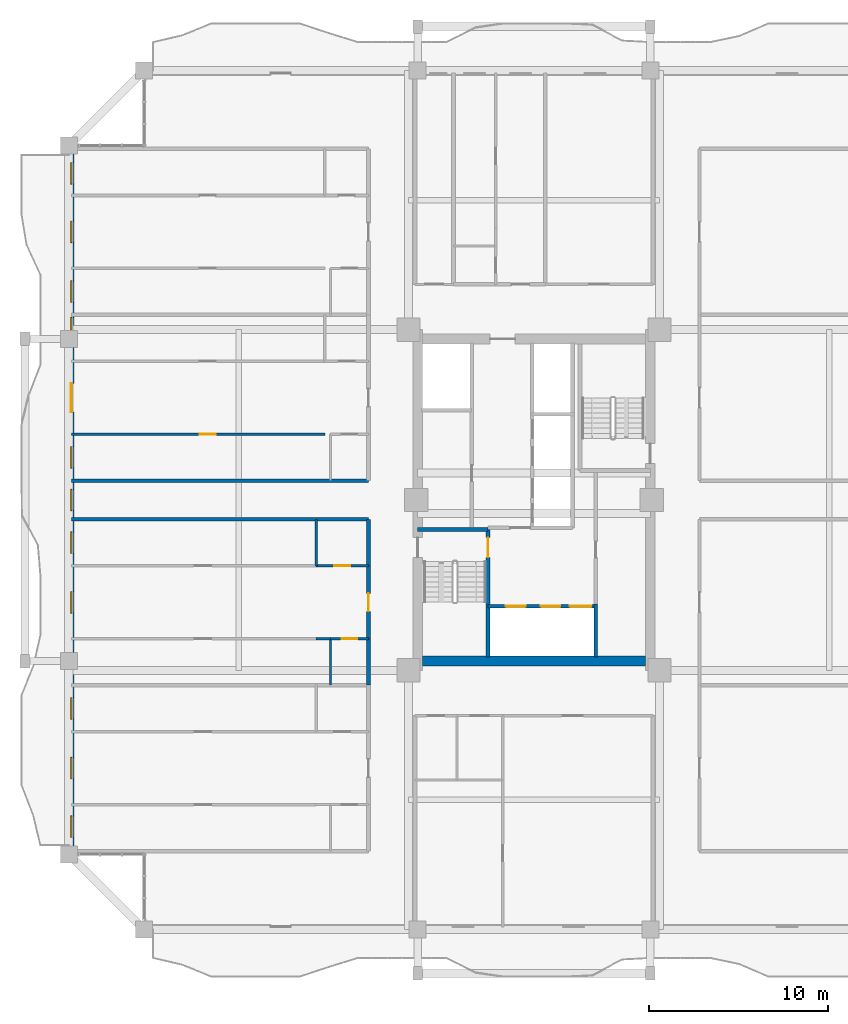
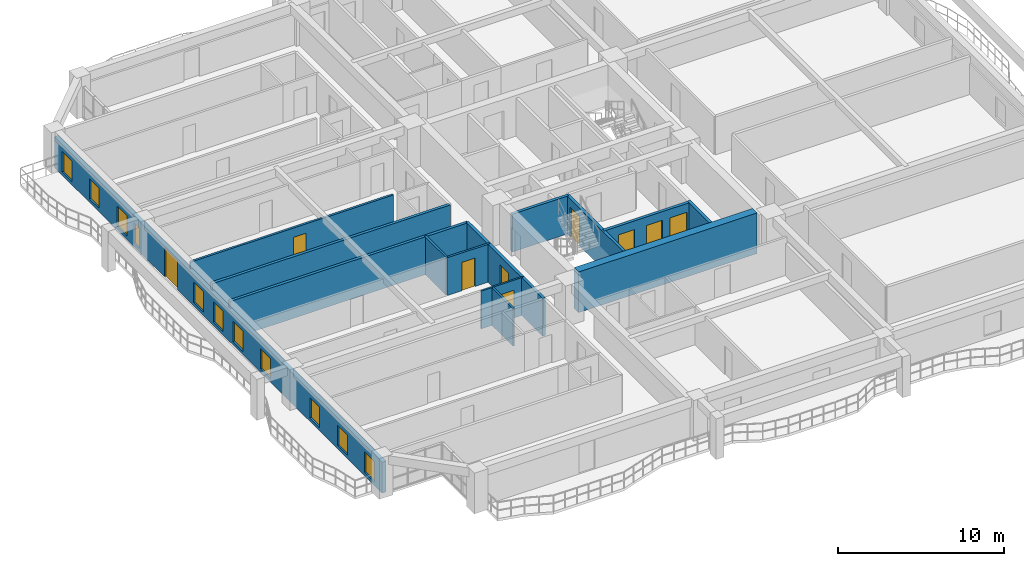
# One storey, part 14 of 22: 17 walls, 11 windows, 9 doors, 20 openings.
"""IFC4 building model written with IfcOpenShell, lengths in metres."""

from ifc_helpers import new_model, si_unit, direction, frame, frame_2d, origin, place, context, subcontext, project, spatial, rectangle, extrude, source, transform, mapped, material, layer, layer_set, type_object, element, fill, save


model = new_model("IFC4")

# Units and contexts
model_context = context("Model", 3, precision=1e-05, world=origin(), true_north=direction((0.0, 1.0)))
body_context = subcontext(model_context, "Body", "Model", "MODEL_VIEW")
ifc_project = project(units=[si_unit("LENGTHUNIT", "METRE"), si_unit("AREAUNIT", "SQUARE_METRE"), si_unit("VOLUMEUNIT", "CUBIC_METRE"), si_unit("PLANEANGLEUNIT", "RADIAN"), si_unit("MASSUNIT", "GRAM", prefix="KILO")], contexts=[model_context])

# Site, building, storey
site_placement = place(None, origin())
site = spatial("IfcSite", under=ifc_project, at=site_placement, CompositionType="ELEMENT")
building_placement = place(site_placement, origin())
building = spatial("IfcBuilding", under=site, at=building_placement, Name="Saelheon Loggia Tower", CompositionType="ELEMENT")
storey_placement = place(building_placement, frame((0.0, 0.0, 135.75)))
storey = spatial("IfcBuildingStorey", under=building, at=storey_placement, Name="L43", CompositionType="ELEMENT", Elevation=135.75)

# Wall
ifc_material_1 = material(Name="Concrete C50/60", Category="concrete")
ifc_layer_1 = layer(ifc_material_1, 0.550048828125)
ifc_layer_set_1 = layer_set([ifc_layer_1], Name="Concrete C50/60")
wall_type_1 = type_object("IfcWallType", Name="Wall_CoreShear_550", PredefinedType="SHEAR", material=ifc_layer_set_1)
wall_1_placement = place(storey_placement, frame((31.77490234375, 18.0, 0.0), z_axis=(0.0, 0.0, 1.0), x_axis=(1.0, 0.0, 0.0)))
element("IfcWall", 1, at=wall_1_placement, inside=storey, type_object=wall_type_1, Name="L43 Core Shear Wall South", PredefinedType="SHEAR", context=body_context, shape_type="SweptSolid", body=[
    extrude(rectangle(XDim=12.4501953125, YDim=0.550048828125, at=frame_2d((6.22509765625, 0.0))), origin(), (0.0, 0.0, 1.0), 3.0),
])

# Wall, openings, windows, door
ifc_material_2 = material(Name="Architectural Precast Concrete C40/50", Category="concrete")
ifc_layer_2 = layer(ifc_material_2, 0.280029296875)
ifc_layer_set_2 = layer_set([ifc_layer_2], Name="Architectural Precast Concrete C40/50")
wall_type_2 = type_object("IfcWallType", Name="Wall_Ext_Loggia_280", PredefinedType="SOLIDWALL", material=ifc_layer_set_2)
wall_2_placement = place(storey_placement, frame((12.139892578125, 7.199951171875, 0.0), z_axis=(0.0, 0.0, 1.0), x_axis=(0.0, 1.0, 0.0)))
wall_2 = element("IfcWall", 2, at=wall_2_placement, inside=storey, type_object=wall_type_2, Name="L43 West Loggia Inner Wall", PredefinedType="SOLIDWALL", context=body_context, shape_type="SweptSolid", body=[
    extrude(rectangle(XDim=39.60009765625, YDim=0.280029296875, at=frame_2d((19.800048828125, 0.0))), origin(), (0.0, 0.0, 1.0), 2.280029296875),
])
opening_1_placement = place(wall_2_placement, frame((0.9453125, 0.0, 0.25)))
opening_1 = element("IfcOpeningElement", 3, at=opening_1_placement, cuts=wall_2, Name="Opening WN-03", PredefinedType="OPENING", context=body_context, shape_type="SweptSolid", body=[
    extrude(rectangle(XDim=1.199951171875, YDim=1.5, at=frame_2d((0.60009765625, 0.75))), frame((0.0, 0.152099609375, 0.0), z_axis=(0.0, -1.0, 0.0), x_axis=(1.0, 0.0, 0.0)), (0.0, 0.0, 1.0), 0.303955078125),
])
opening_2_placement = place(wall_2_placement, frame((4.212890625, 0.0, 0.25)))
opening_2 = element("IfcOpeningElement", 4, at=opening_2_placement, cuts=wall_2, Name="Opening WN-03", PredefinedType="OPENING", context=body_context, shape_type="SweptSolid", body=[
    extrude(rectangle(XDim=1.199951171875, YDim=1.5, at=frame_2d((0.60009765625, 0.75))), frame((0.0, 0.152099609375, 0.0), z_axis=(0.0, -1.0, 0.0), x_axis=(1.0, 0.0, 0.0)), (0.0, 0.0, 1.0), 0.303955078125),
])
opening_3_placement = place(wall_2_placement, frame((7.550048828125, 0.0, 0.25)))
opening_3 = element("IfcOpeningElement", 5, at=opening_3_placement, cuts=wall_2, Name="Opening WN-03", PredefinedType="OPENING", context=body_context, shape_type="SweptSolid", body=[
    extrude(rectangle(XDim=1.199951171875, YDim=1.5, at=frame_2d((0.60009765625, 0.75))), frame((0.0, 0.152099609375, 0.0), z_axis=(0.0, -1.0, 0.0), x_axis=(1.0, 0.0, 0.0)), (0.0, 0.0, 1.0), 0.303955078125),
])
opening_4_placement = place(wall_2_placement, frame((13.48291015625, 0.0, 0.25)))
opening_4 = element("IfcOpeningElement", 6, at=opening_4_placement, cuts=wall_2, Name="Opening WN-03", PredefinedType="OPENING", context=body_context, shape_type="SweptSolid", body=[
    extrude(rectangle(XDim=1.199951171875, YDim=1.5, at=frame_2d((0.60009765625, 0.75))), frame((0.0, 0.152099609375, 0.0), z_axis=(0.0, -1.0, 0.0), x_axis=(1.0, 0.0, 0.0)), (0.0, 0.0, 1.0), 0.303955078125),
])
opening_5_placement = place(wall_2_placement, frame((16.820068359375, 0.0, 0.25)))
opening_5 = element("IfcOpeningElement", 7, at=opening_5_placement, cuts=wall_2, Name="Opening WN-03", PredefinedType="OPENING", context=body_context, shape_type="SweptSolid", body=[
    extrude(rectangle(XDim=1.199951171875, YDim=1.5, at=frame_2d((0.60009765625, 0.75))), frame((0.0, 0.152099609375, 0.0), z_axis=(0.0, -1.0, 0.0), x_axis=(1.0, 0.0, 0.0)), (0.0, 0.0, 1.0), 0.303955078125),
])
opening_6_placement = place(wall_2_placement, frame((19.199951171875, 0.0, 0.25)))
opening_6 = element("IfcOpeningElement", 8, at=opening_6_placement, cuts=wall_2, Name="Opening WN-03", PredefinedType="OPENING", context=body_context, shape_type="SweptSolid", body=[
    extrude(rectangle(XDim=1.199951171875, YDim=1.5, at=frame_2d((0.60009765625, 0.75))), frame((0.0, 0.152099609375, 0.0), z_axis=(0.0, -1.0, 0.0), x_axis=(1.0, 0.0, 0.0)), (0.0, 0.0, 1.0), 0.303955078125),
])
opening_7_placement = place(wall_2_placement, frame((21.577880859375, 0.0, 0.25)))
opening_7 = element("IfcOpeningElement", 9, at=opening_7_placement, cuts=wall_2, Name="Opening WN-03", PredefinedType="OPENING", context=body_context, shape_type="SweptSolid", body=[
    extrude(rectangle(XDim=1.199951171875, YDim=1.5, at=frame_2d((0.60009765625, 0.75))), frame((0.0, 0.152099609375, 0.0), z_axis=(0.0, -1.0, 0.0), x_axis=(1.0, 0.0, 0.0)), (0.0, 0.0, 1.0), 0.303955078125),
])
opening_8_placement = place(wall_2_placement, frame((24.712890625, 0.0, 0.0)))
opening_8 = element("IfcOpeningElement", 10, at=opening_8_placement, cuts=wall_2, Name="Opening DLG-1", PredefinedType="OPENING", context=body_context, shape_type="SweptSolid", body=[
    extrude(rectangle(XDim=1.60009765625, YDim=2.14990234375, at=frame_2d((0.800048828125, 1.074951171875))), frame((0.0, 0.152099609375, 0.0), z_axis=(0.0, -1.0, 0.0), x_axis=(1.0, 0.0, 0.0)), (0.0, 0.0, 1.0), 0.303955078125),
])
opening_9_placement = place(wall_2_placement, frame((29.304931640625, 0.0, 0.25)))
opening_9 = element("IfcOpeningElement", 11, at=opening_9_placement, cuts=wall_2, Name="Opening WN-06", PredefinedType="OPENING", context=body_context, shape_type="SweptSolid", body=[
    extrude(rectangle(XDim=0.699951171875, YDim=1.5, at=frame_2d((0.35009765625, 0.75))), frame((0.0, 0.152099609375, 0.0), z_axis=(0.0, -1.0, 0.0), x_axis=(1.0, 0.0, 0.0)), (0.0, 0.0, 1.0), 0.303955078125),
])
opening_10_placement = place(wall_2_placement, frame((30.847900390625, 0.0, 0.25)))
opening_10 = element("IfcOpeningElement", 12, at=opening_10_placement, cuts=wall_2, Name="Opening WN-03", PredefinedType="OPENING", context=body_context, shape_type="SweptSolid", body=[
    extrude(rectangle(XDim=1.199951171875, YDim=1.5, at=frame_2d((0.60009765625, 0.75))), frame((0.0, 0.152099609375, 0.0), z_axis=(0.0, -1.0, 0.0), x_axis=(1.0, 0.0, 0.0)), (0.0, 0.0, 1.0), 0.303955078125),
])
opening_11_placement = place(wall_2_placement, frame((34.182861328125, 0.0, 0.25)))
opening_11 = element("IfcOpeningElement", 13, at=opening_11_placement, cuts=wall_2, Name="Opening WN-03", PredefinedType="OPENING", context=body_context, shape_type="SweptSolid", body=[
    extrude(rectangle(XDim=1.199951171875, YDim=1.5, at=frame_2d((0.60009765625, 0.75))), frame((0.0, 0.152099609375, 0.0), z_axis=(0.0, -1.0, 0.0), x_axis=(1.0, 0.0, 0.0)), (0.0, 0.0, 1.0), 0.303955078125),
])
opening_12_placement = place(wall_2_placement, frame((37.452392578125, 0.0, 0.25)))
opening_12 = element("IfcOpeningElement", 14, at=opening_12_placement, cuts=wall_2, Name="Opening WN-03", PredefinedType="OPENING", context=body_context, shape_type="SweptSolid", body=[
    extrude(rectangle(XDim=1.199951171875, YDim=1.5, at=frame_2d((0.60009765625, 0.75))), frame((0.0, 0.152099609375, 0.0), z_axis=(0.0, -1.0, 0.0), x_axis=(1.0, 0.0, 0.0)), (0.0, 0.0, 1.0), 0.303955078125),
])
ifc_material_3 = material(Name="Thermal-Break Aluminium and Triple Low-E Glass", Category="aluminium")
window_type_1 = type_object("IfcWindowType", Name="Win_Slot_700x1500", PartitioningType="SINGLE_PANEL", PredefinedType="WINDOW", material=ifc_material_3)
shared_shape_1 = source(origin(), body_context, "Body", "SweptSolid", [
    extrude(rectangle(XDim=0.699951171875, YDim=1.5, at=frame_2d((0.35009765625, 0.75))), frame((0.0, 0.030029296875, 0.0), z_axis=(0.0, -1.0, 0.0), x_axis=(1.0, 0.0, 0.0)), (0.0, 0.0, 1.0), 0.06005859375),
])
window_1_placement = place(opening_9_placement, origin())
window_1 = element("IfcWindow", 15, at=window_1_placement, inside=storey, type_object=window_type_1, Name="L43 W Dwelling Window 9", OverallHeight=1.5, OverallWidth=0.699951171875, PartitioningType="SINGLE_PANEL", PredefinedType="WINDOW", context=body_context, shape_type="MappedRepresentation", body=[
    mapped(shared_shape_1, transform((0.0, 0.0, 0.0), scale=1.0)),
])
fill(opening_9, window_1)
window_type_2 = type_object("IfcWindowType", Name="Win_Bedroom_1200x1500", PartitioningType="SINGLE_PANEL", PredefinedType="WINDOW", material=ifc_material_3)
shared_shape_2 = source(origin(), body_context, "Body", "SweptSolid", [
    extrude(rectangle(XDim=1.199951171875, YDim=1.5, at=frame_2d((0.60009765625, 0.75))), frame((0.0, 0.030029296875, 0.0), z_axis=(0.0, -1.0, 0.0), x_axis=(1.0, 0.0, 0.0)), (0.0, 0.0, 1.0), 0.06005859375),
])
window_2_placement = place(opening_1_placement, origin())
window_2 = element("IfcWindow", 16, at=window_2_placement, inside=storey, type_object=window_type_2, Name="L43 W Dwelling Window 1", OverallHeight=1.5, OverallWidth=1.199951171875, PartitioningType="SINGLE_PANEL", PredefinedType="WINDOW", context=body_context, shape_type="MappedRepresentation", body=[
    mapped(shared_shape_2, transform((0.0, 0.0, 0.0), scale=1.0)),
])
fill(opening_1, window_2)
window_3_placement = place(opening_2_placement, origin())
window_3 = element("IfcWindow", 17, at=window_3_placement, inside=storey, type_object=window_type_2, Name="L43 W Dwelling Window 2", OverallHeight=1.5, OverallWidth=1.199951171875, PartitioningType="SINGLE_PANEL", PredefinedType="WINDOW", context=body_context, shape_type="MappedRepresentation", body=[
    mapped(shared_shape_2, transform((0.0, 0.0, 0.0), scale=1.0)),
])
fill(opening_2, window_3)
window_4_placement = place(opening_3_placement, origin())
window_4 = element("IfcWindow", 18, at=window_4_placement, inside=storey, type_object=window_type_2, Name="L43 W Dwelling Window 3", OverallHeight=1.5, OverallWidth=1.199951171875, PartitioningType="SINGLE_PANEL", PredefinedType="WINDOW", context=body_context, shape_type="MappedRepresentation", body=[
    mapped(shared_shape_2, transform((0.0, 0.0, 0.0), scale=1.0)),
])
fill(opening_3, window_4)
window_5_placement = place(opening_4_placement, origin())
window_5 = element("IfcWindow", 19, at=window_5_placement, inside=storey, type_object=window_type_2, Name="L43 W Dwelling Window 4", OverallHeight=1.5, OverallWidth=1.199951171875, PartitioningType="SINGLE_PANEL", PredefinedType="WINDOW", context=body_context, shape_type="MappedRepresentation", body=[
    mapped(shared_shape_2, transform((0.0, 0.0, 0.0), scale=1.0)),
])
fill(opening_4, window_5)
window_6_placement = place(opening_5_placement, origin())
window_6 = element("IfcWindow", 20, at=window_6_placement, inside=storey, type_object=window_type_2, Name="L43 W Dwelling Window 5", OverallHeight=1.5, OverallWidth=1.199951171875, PartitioningType="SINGLE_PANEL", PredefinedType="WINDOW", context=body_context, shape_type="MappedRepresentation", body=[
    mapped(shared_shape_2, transform((0.0, 0.0, 0.0), scale=1.0)),
])
fill(opening_5, window_6)
window_7_placement = place(opening_6_placement, origin())
window_7 = element("IfcWindow", 21, at=window_7_placement, inside=storey, type_object=window_type_2, Name="L43 W Dwelling Window 6", OverallHeight=1.5, OverallWidth=1.199951171875, PartitioningType="SINGLE_PANEL", PredefinedType="WINDOW", context=body_context, shape_type="MappedRepresentation", body=[
    mapped(shared_shape_2, transform((0.0, 0.0, 0.0), scale=1.0)),
])
fill(opening_6, window_7)
window_8_placement = place(opening_7_placement, origin())
window_8 = element("IfcWindow", 22, at=window_8_placement, inside=storey, type_object=window_type_2, Name="L43 W Dwelling Window 7", OverallHeight=1.5, OverallWidth=1.199951171875, PartitioningType="SINGLE_PANEL", PredefinedType="WINDOW", context=body_context, shape_type="MappedRepresentation", body=[
    mapped(shared_shape_2, transform((0.0, 0.0, 0.0), scale=1.0)),
])
fill(opening_7, window_8)
window_9_placement = place(opening_10_placement, origin())
window_9 = element("IfcWindow", 23, at=window_9_placement, inside=storey, type_object=window_type_2, Name="L43 W Dwelling Window 10", OverallHeight=1.5, OverallWidth=1.199951171875, PartitioningType="SINGLE_PANEL", PredefinedType="WINDOW", context=body_context, shape_type="MappedRepresentation", body=[
    mapped(shared_shape_2, transform((0.0, 0.0, 0.0), scale=1.0)),
])
fill(opening_10, window_9)
window_10_placement = place(opening_11_placement, origin())
window_10 = element("IfcWindow", 24, at=window_10_placement, inside=storey, type_object=window_type_2, Name="L43 W Dwelling Window 11", OverallHeight=1.5, OverallWidth=1.199951171875, PartitioningType="SINGLE_PANEL", PredefinedType="WINDOW", context=body_context, shape_type="MappedRepresentation", body=[
    mapped(shared_shape_2, transform((0.0, 0.0, 0.0), scale=1.0)),
])
fill(opening_11, window_10)
window_11_placement = place(opening_12_placement, origin())
window_11 = element("IfcWindow", 25, at=window_11_placement, inside=storey, type_object=window_type_2, Name="L43 W Dwelling Window 12", OverallHeight=1.5, OverallWidth=1.199951171875, PartitioningType="SINGLE_PANEL", PredefinedType="WINDOW", context=body_context, shape_type="MappedRepresentation", body=[
    mapped(shared_shape_2, transform((0.0, 0.0, 0.0), scale=1.0)),
])
fill(opening_12, window_11)
ifc_material_4 = material(Name="Thermal-Break Aluminium Sliding Glazed Door", Category="aluminium")
door_type_1 = type_object("IfcDoorType", Name="Door_LoggiaSlide_1600", OperationType="SLIDING_TO_LEFT", PredefinedType="DOOR", material=ifc_material_4)
shared_shape_3 = source(origin(), body_context, "Body", "SweptSolid", [
    extrude(rectangle(XDim=1.60009765625, YDim=2.14990234375, at=frame_2d((0.800048828125, 1.074951171875))), frame((0.0, 0.02490234375, 0.0), z_axis=(0.0, -1.0, 0.0), x_axis=(1.0, 0.0, 0.0)), (0.0, 0.0, 1.0), 0.050048828125),
])
door_1_placement = place(opening_8_placement, origin())
door_1 = element("IfcDoor", 26, at=door_1_placement, inside=storey, type_object=door_type_1, Name="L43 W Loggia Access Door", OperationType="SLIDING_TO_LEFT", OverallHeight=2.14990234375, OverallWidth=1.60009765625, PredefinedType="DOOR", context=body_context, shape_type="MappedRepresentation", body=[
    mapped(shared_shape_3, transform((0.0, 0.0, 0.0), scale=1.0)),
])
fill(opening_8, door_1)

# Wall
ifc_material_5 = material(Name="Lightweight Autoclaved Aerated Concrete Block and Acoustic Gypsum", Category="concrete")
ifc_layer_3 = layer(ifc_material_5, 0.14990234375)
ifc_layer_set_3 = layer_set([ifc_layer_3], Name="Lightweight Autoclaved Aerated Concrete Block and Acoustic Gypsum")
wall_type_3 = type_object("IfcWallType", Name="Wall_Part_150", PredefinedType="PARTITIONING", material=ifc_layer_set_3)
wall_3_placement = place(storey_placement, frame((25.830078125, 23.320068359375, 0.0), z_axis=(0.0, 0.0, 1.0), x_axis=(0.0, 1.0, 0.0)))
element("IfcWall", 27, at=wall_3_placement, inside=storey, type_object=wall_type_3, Name="L43 WS Partition V18", PredefinedType="PARTITIONING", context=body_context, shape_type="SweptSolid", body=[
    extrude(rectangle(XDim=2.599853515625, YDim=0.14990234375, at=frame_2d((1.2998046875, 0.0))), origin(), (0.0, 0.0, 1.0), 2.7900390625),
])

# Wall, opening, door
wall_4_placement = place(storey_placement, frame((28.75, 23.320068359375, 0.0), z_axis=(0.0, 0.0, 1.0), x_axis=(-1.0, 0.0, 0.0)))
wall_4 = element("IfcWall", 28, at=wall_4_placement, inside=storey, type_object=wall_type_3, Name="L43 WS Partition U22", PredefinedType="PARTITIONING", context=body_context, shape_type="SweptSolid", body=[
    extrude(rectangle(XDim=2.919921875, YDim=0.14990234375, at=frame_2d((1.4599609375, 0.0))), origin(), (0.0, 0.0, 1.0), 2.7900390625),
])
opening_13_placement = place(wall_4_placement, frame((1.010009765625, 0.0, 0.0)))
opening_13 = element("IfcOpeningElement", 29, at=opening_13_placement, cuts=wall_4, Name="Opening D-IN2", PredefinedType="OPENING", context=body_context, shape_type="SweptSolid", body=[
    extrude(rectangle(XDim=0.89990234375, YDim=2.10009765625, at=frame_2d((0.449951171875, 1.050048828125))), frame((0.0, 0.0869140625, 0.0), z_axis=(0.0, -1.0, 0.0), x_axis=(1.0, 0.0, 0.0)), (0.0, 0.0, 1.0), 0.173828125),
])
ifc_material_6 = material(Name="Engineered Oak Flush Door", Category="timber")
door_type_2 = type_object("IfcDoorType", Name="Door_Int_900", OperationType="NOTDEFINED", PredefinedType="DOOR", material=ifc_material_6)
shared_shape_4 = source(origin(), body_context, "Body", "SweptSolid", [
    extrude(rectangle(XDim=0.89990234375, YDim=2.10009765625, at=frame_2d((0.449951171875, 1.050048828125))), frame((0.0, 0.02490234375, 0.0), z_axis=(0.0, -1.0, 0.0), x_axis=(1.0, 0.0, 0.0)), (0.0, 0.0, 1.0), 0.050048828125),
])
door_2_placement = place(opening_13_placement, origin())
door_2 = element("IfcDoor", 30, at=door_2_placement, inside=storey, type_object=door_type_2, Name="Unit U03 Dressing Closet Door", OperationType="SINGLE_SWING_RIGHT", OverallHeight=2.10009765625, OverallWidth=0.89990234375, PredefinedType="DOOR", context=body_context, shape_type="MappedRepresentation", body=[
    mapped(shared_shape_4, transform((0.0, 0.0, 0.0), scale=1.0)),
])
fill(opening_13, door_2)

wall_5_placement = place(storey_placement, frame((26.31005859375, 30.675537109375, 0.0), z_axis=(0.0, 0.0, 1.0), x_axis=(-1.0, 0.0, 0.0)))
wall_5 = element("IfcWall", 31, at=wall_5_placement, inside=storey, type_object=wall_type_3, Name="L43 WN Partition U09", PredefinedType="PARTITIONING", context=body_context, shape_type="SweptSolid", body=[
    extrude(rectangle(XDim=14.16015625, YDim=0.14990234375, at=frame_2d((7.080078125, 0.0))), origin(), (0.0, 0.0, 1.0), 2.7900390625),
])
opening_14_placement = place(wall_5_placement, frame((6.097412109375, 0.0, 0.0)))
opening_14 = element("IfcOpeningElement", 32, at=opening_14_placement, cuts=wall_5, Name="Opening D-IN2", PredefinedType="OPENING", context=body_context, shape_type="SweptSolid", body=[
    extrude(rectangle(XDim=0.89990234375, YDim=2.10009765625, at=frame_2d((0.449951171875, 1.050048828125))), frame((0.0, 0.0869140625, 0.0), z_axis=(0.0, -1.0, 0.0), x_axis=(1.0, 0.0, 0.0)), (0.0, 0.0, 1.0), 0.173828125),
])
door_3_placement = place(opening_14_placement, origin())
door_3 = element("IfcDoor", 33, at=door_3_placement, inside=storey, type_object=door_type_2, Name="Unit U04 Kitchen Door", OperationType="SINGLE_SWING_RIGHT", OverallHeight=2.10009765625, OverallWidth=0.89990234375, PredefinedType="DOOR", context=body_context, shape_type="MappedRepresentation", body=[
    mapped(shared_shape_4, transform((0.0, 0.0, 0.0), scale=1.0)),
])
fill(opening_14, door_3)

# Walls
ifc_material_7 = material(Name="Double Acoustic Stud and Fireboard Partition", Category="gypsum")
ifc_layer_4 = layer(ifc_material_7, 0.199951171875)
ifc_layer_set_4 = layer_set([ifc_layer_4], Name="Double Acoustic Stud and Fireboard Partition")
wall_type_4 = type_object("IfcWallType", Name="Wall_Party_200", PredefinedType="PARTITIONING", material=ifc_layer_set_4)
wall_6_placement = place(storey_placement, frame((28.75, 25.919921875, 0.0), z_axis=(0.0, 0.0, 1.0), x_axis=(-1.0, 0.0, 0.0)))
element("IfcWall", 34, at=wall_6_placement, inside=storey, type_object=wall_type_4, Name="L43 WS Partition U02", PredefinedType="PARTITIONING", context=body_context, shape_type="SweptSolid", body=[
    extrude(rectangle(XDim=16.60009765625, YDim=0.199951171875, at=frame_2d((8.300048828125, 0.0))), origin(), (0.0, 0.0, 1.0), 2.7900390625),
])
wall_7_placement = place(storey_placement, frame((28.75, 16.64990234375, 0.0), z_axis=(0.0, 0.0, 1.0), x_axis=(0.0, 1.0, 0.0)))
element("IfcWall", 35, at=wall_7_placement, inside=storey, type_object=wall_type_4, Name="L43 WS Partition V14", PredefinedType="PARTITIONING", context=body_context, shape_type="SweptSolid", body=[
    extrude(rectangle(XDim=2.595703125, YDim=0.199951171875, at=frame_2d((1.2978515625, 0.0))), origin(), (0.0, 0.0, 1.0), 2.7900390625),
])

# Wall, opening, door
wall_8_placement = place(storey_placement, frame((28.75, 19.24560546875, 0.0), z_axis=(0.0, 0.0, 1.0), x_axis=(0.0, 1.0, 0.0)))
wall_8 = element("IfcWall", 36, at=wall_8_placement, inside=storey, type_object=wall_type_4, Name="L43 WS Partition V15", PredefinedType="PARTITIONING", context=body_context, shape_type="SweptSolid", body=[
    extrude(rectangle(XDim=4.074462890625, YDim=0.199951171875, at=frame_2d((2.037109375, 0.0))), origin(), (0.0, 0.0, 1.0), 2.7900390625),
])
opening_15_placement = place(wall_8_placement, frame((1.537109375, 0.0, 0.0)))
opening_15 = element("IfcOpeningElement", 37, at=opening_15_placement, cuts=wall_8, Name="Opening D-FD1", PredefinedType="OPENING", context=body_context, shape_type="SweptSolid", body=[
    extrude(rectangle(XDim=1.0, YDim=2.14990234375, at=frame_2d((0.5, 1.074951171875))), frame((0.0, 0.112060546875, 0.0), z_axis=(0.0, -1.0, 0.0), x_axis=(1.0, 0.0, 0.0)), (0.0, 0.0, 1.0), 0.223876953125),
])
ifc_material_8 = material(Name="Fire-Rated Engineered Timber Entrance Door", Category="wood")
door_type_3 = type_object("IfcDoorType", Name="Door_Flat_FD30S", OperationType="NOTDEFINED", PredefinedType="DOOR", material=ifc_material_8)
shared_shape_5 = source(origin(), body_context, "Body", "SweptSolid", [
    extrude(rectangle(XDim=1.0, YDim=2.14990234375, at=frame_2d((0.5, 1.074951171875))), frame((0.0, 0.02490234375, 0.0), z_axis=(0.0, -1.0, 0.0), x_axis=(1.0, 0.0, 0.0)), (0.0, 0.0, 1.0), 0.050048828125),
])
door_4_placement = place(opening_15_placement, origin())
door_4 = element("IfcDoor", 38, at=door_4_placement, inside=storey, type_object=door_type_3, Name="Unit U03 Entrance Door", OperationType="SINGLE_SWING_LEFT", OverallHeight=2.14990234375, OverallWidth=1.0, PredefinedType="DOOR", context=body_context, shape_type="MappedRepresentation", body=[
    mapped(shared_shape_5, transform((0.0, 0.0, 0.0), scale=1.0)),
])
fill(opening_15, door_4)

# Walls
wall_9_placement = place(storey_placement, frame((28.75, 23.320068359375, 0.0), z_axis=(0.0, 0.0, 1.0), x_axis=(0.0, 1.0, 0.0)))
element("IfcWall", 39, at=wall_9_placement, inside=storey, type_object=wall_type_4, Name="L43 WS Partition V16", PredefinedType="PARTITIONING", context=body_context, shape_type="SweptSolid", body=[
    extrude(rectangle(XDim=2.599853515625, YDim=0.199951171875, at=frame_2d((1.2998046875, 0.0))), origin(), (0.0, 0.0, 1.0), 2.7900390625),
])
wall_10_placement = place(storey_placement, frame((28.75, 28.080078125, 0.0), z_axis=(0.0, 0.0, 1.0), x_axis=(-1.0, 0.0, 0.0)))
element("IfcWall", 40, at=wall_10_placement, inside=storey, type_object=wall_type_4, Name="L43 WN Partition U01", PredefinedType="PARTITIONING", context=body_context, shape_type="SweptSolid", body=[
    extrude(rectangle(XDim=16.60009765625, YDim=0.199951171875, at=frame_2d((8.300048828125, 0.0))), origin(), (0.0, 0.0, 1.0), 2.7900390625),
])
ifc_material_9 = material(Name="Concrete C40/50", Category="concrete")
ifc_layer_5 = layer(ifc_material_9, 0.199951171875)
ifc_layer_set_5 = layer_set([ifc_layer_5], Name="Concrete C40/50")
wall_type_5 = type_object("IfcWallType", Name="Wall_Shaft_200", PredefinedType="PARTITIONING", material=ifc_layer_set_5)
wall_11_placement = place(storey_placement, frame((41.449951171875, 18.219970703125, 0.0), z_axis=(0.0, 0.0, 1.0), x_axis=(0.0, 1.0, 0.0)))
element("IfcWall", 41, at=wall_11_placement, inside=storey, type_object=wall_type_5, Name="CW-INT-L43-BOH-W0", PredefinedType="PARTITIONING", context=body_context, shape_type="SweptSolid", body=[
    extrude(rectangle(XDim=2.9599609375, YDim=0.199951171875, at=frame_2d((1.47998046875, 0.0))), origin(), (0.0, 0.0, 1.0), 2.7900390625),
])

# Wall, openings, doors
wall_12_placement = place(storey_placement, frame((35.429931640625, 21.06005859375, 0.0), z_axis=(0.0, 0.0, 1.0), x_axis=(1.0, 0.0, 0.0)))
wall_12 = element("IfcWall", 42, at=wall_12_placement, inside=storey, type_object=wall_type_5, Name="L43 Firefighting Lift Shaft Front Wall", PredefinedType="PARTITIONING", context=body_context, shape_type="SweptSolid", body=[
    extrude(rectangle(XDim=6.02001953125, YDim=0.199951171875, at=frame_2d((3.010009765625, 0.0))), origin(), (0.0, 0.0, 1.0), 2.7900390625),
])
opening_16_placement = place(wall_12_placement, frame((1.0, 0.0, 0.0)))
opening_16 = element("IfcOpeningElement", 43, at=opening_16_placement, cuts=wall_12, Name="Opening LD2", PredefinedType="OPENING", context=body_context, shape_type="SweptSolid", body=[
    extrude(rectangle(XDim=1.10009765625, YDim=2.14990234375, at=frame_2d((0.550048828125, 1.074951171875))), frame((0.0, 0.112060546875, 0.0), z_axis=(0.0, -1.0, 0.0), x_axis=(1.0, 0.0, 0.0)), (0.0, 0.0, 1.0), 0.223876953125),
])
opening_17_placement = place(wall_12_placement, frame((2.949951171875, 0.0, 0.0)))
opening_17 = element("IfcOpeningElement", 44, at=opening_17_placement, cuts=wall_12, Name="Opening LD2", PredefinedType="OPENING", context=body_context, shape_type="SweptSolid", body=[
    extrude(rectangle(XDim=1.10009765625, YDim=2.14990234375, at=frame_2d((0.550048828125, 1.074951171875))), frame((0.0, 0.112060546875, 0.0), z_axis=(0.0, -1.0, 0.0), x_axis=(1.0, 0.0, 0.0)), (0.0, 0.0, 1.0), 0.223876953125),
])
opening_18_placement = place(wall_12_placement, frame((4.580078125, 0.0, 0.0)))
opening_18 = element("IfcOpeningElement", 45, at=opening_18_placement, cuts=wall_12, Name="Opening LD3", PredefinedType="OPENING", context=body_context, shape_type="SweptSolid", body=[
    extrude(rectangle(XDim=1.199951171875, YDim=2.14990234375, at=frame_2d((0.60009765625, 1.074951171875))), frame((0.0, 0.112060546875, 0.0), z_axis=(0.0, -1.0, 0.0), x_axis=(1.0, 0.0, 0.0)), (0.0, 0.0, 1.0), 0.223876953125),
])
ifc_material_10 = material(Name="Firefighting Stainless Steel 316 Landing Door", Category="steel")
door_type_4 = type_object("IfcDoorType", Name="Door_Lift_LD2", OperationType="DOUBLE_DOOR_SLIDING", PredefinedType="DOOR", material=ifc_material_10)
shared_shape_6 = source(origin(), body_context, "Body", "SweptSolid", [
    extrude(rectangle(XDim=1.10009765625, YDim=2.14990234375, at=frame_2d((0.550048828125, 1.074951171875))), frame((0.0, 0.02490234375, 0.0), z_axis=(0.0, -1.0, 0.0), x_axis=(1.0, 0.0, 0.0)), (0.0, 0.0, 1.0), 0.050048828125),
])
door_5_placement = place(opening_16_placement, origin())
door_5 = element("IfcDoor", 46, at=door_5_placement, inside=storey, type_object=door_type_4, Name="L43 FF1 Landing Door", OperationType="DOUBLE_DOOR_SLIDING", OverallHeight=2.14990234375, OverallWidth=1.10009765625, PredefinedType="DOOR", context=body_context, shape_type="MappedRepresentation", body=[
    mapped(shared_shape_6, transform((0.0, 0.0, 0.0), scale=1.0)),
])
fill(opening_16, door_5)
door_6_placement = place(opening_17_placement, origin())
door_6 = element("IfcDoor", 47, at=door_6_placement, inside=storey, type_object=door_type_4, Name="L43 FF2 Landing Door", OperationType="DOUBLE_DOOR_SLIDING", OverallHeight=2.14990234375, OverallWidth=1.10009765625, PredefinedType="DOOR", context=body_context, shape_type="MappedRepresentation", body=[
    mapped(shared_shape_6, transform((0.0, 0.0, 0.0), scale=1.0)),
])
fill(opening_17, door_6)
ifc_material_11 = material(Name="Stretcher Lift Stainless Steel 304 Landing Door", Category="steel")
door_type_5 = type_object("IfcDoorType", Name="Door_Lift_LD3", OperationType="DOUBLE_DOOR_SLIDING", PredefinedType="DOOR", material=ifc_material_11)
shared_shape_7 = source(origin(), body_context, "Body", "SweptSolid", [
    extrude(rectangle(XDim=1.199951171875, YDim=2.14990234375, at=frame_2d((0.60009765625, 1.074951171875))), frame((0.0, 0.02490234375, 0.0), z_axis=(0.0, -1.0, 0.0), x_axis=(1.0, 0.0, 0.0)), (0.0, 0.0, 1.0), 0.050048828125),
])
door_7_placement = place(opening_18_placement, origin())
door_7 = element("IfcDoor", 48, at=door_7_placement, inside=storey, type_object=door_type_5, Name="L43 SV1 Landing Door", OperationType="DOUBLE_DOOR_SLIDING", OverallHeight=2.14990234375, OverallWidth=1.199951171875, PredefinedType="DOOR", context=body_context, shape_type="MappedRepresentation", body=[
    mapped(shared_shape_7, transform((0.0, 0.0, 0.0), scale=1.0)),
])
fill(opening_18, door_7)

# Wall, opening, door
ifc_material_12 = material(Name="Concrete C45/55", Category="concrete")
ifc_layer_6 = layer(ifc_material_12, 0.199951171875)
ifc_layer_set_6 = layer_set([ifc_layer_6], Name="Concrete C45/55")
wall_type_6 = type_object("IfcWallType", Name="Wall_StairShaft_RC200", PredefinedType="SOLIDWALL", material=ifc_layer_set_6)
wall_13_placement = place(storey_placement, frame((35.429931640625, 18.219970703125, 0.0), z_axis=(0.0, 0.0, 1.0), x_axis=(0.0, 1.0, 0.0)))
wall_13 = element("IfcWall", 49, at=wall_13_placement, inside=storey, type_object=wall_type_6, Name="L43 Stair ST1 Shaft Wall", PredefinedType="SOLIDWALL", context=body_context, shape_type="SweptSolid", body=[
    extrude(rectangle(XDim=7.219970703125, YDim=0.199951171875, at=frame_2d((3.60986328125, 0.0))), origin(), (0.0, 0.0, 1.0), 2.7900390625),
])
opening_19_placement = place(wall_13_placement, frame((6.68017578125, 0.0, 0.0), z_axis=(0.0, 0.0, 1.0), x_axis=(-1.0, 0.0, 0.0)))
opening_19 = element("IfcOpeningElement", 50, at=opening_19_placement, cuts=wall_13, Name="Opening D-FD2", PredefinedType="OPENING", context=body_context, shape_type="SweptSolid", body=[
    extrude(rectangle(XDim=1.10009765625, YDim=2.14990234375, at=frame_2d((0.550048828125, 1.074951171875))), frame((0.0, 0.112060546875, 0.0), z_axis=(0.0, -1.0, 0.0), x_axis=(1.0, 0.0, 0.0)), (0.0, 0.0, 1.0), 0.223876953125),
])
ifc_material_13 = material(Name="Galvanised Steel Fire Door", Category="steel")
door_type_6 = type_object("IfcDoorType", Name="Door_Fire_FD60_1100", OperationType="NOTDEFINED", PredefinedType="DOOR", material=ifc_material_13)
door_8_placement = place(opening_19_placement, origin())
door_8 = element("IfcDoor", 51, at=door_8_placement, inside=storey, type_object=door_type_6, Name="L43 Stair ST1 Lobby Door", OperationType="SINGLE_SWING_LEFT", OverallHeight=2.14990234375, OverallWidth=1.10009765625, PredefinedType="DOOR", context=body_context, shape_type="MappedRepresentation", body=[
    mapped(shared_shape_6, transform((0.0, 0.0, 0.0), scale=1.0)),
])
fill(opening_19, door_8)

# Walls
wall_14_placement = place(storey_placement, frame((31.5, 25.35009765625, 0.0), z_axis=(0.0, 0.0, 1.0), x_axis=(1.0, 0.0, 0.0)))
element("IfcWall", 52, at=wall_14_placement, inside=storey, type_object=wall_type_6, Name="L43 Stair ST1 North Wall", PredefinedType="SOLIDWALL", context=body_context, shape_type="SweptSolid", body=[
    extrude(rectangle(XDim=3.929931640625, YDim=0.199951171875, at=frame_2d((1.96484375, 0.0))), origin(), (0.0, 0.0, 1.0), 2.7900390625),
])
ifc_material_14 = material(Name="Moisture-Resistant Cement Board Partition", Category="gypsum")
ifc_layer_7 = layer(ifc_material_14, 0.1201171875)
ifc_layer_set_7 = layer_set([ifc_layer_7], Name="Moisture-Resistant Cement Board Partition")
wall_type_7 = type_object("IfcWallType", Name="Wall_WetPart_120", PredefinedType="PARTITIONING", material=ifc_layer_set_7)
wall_15_placement = place(storey_placement, frame((26.6298828125, 16.64990234375, 0.0), z_axis=(0.0, 0.0, 1.0), x_axis=(0.0, 1.0, 0.0)))
element("IfcWall", 53, at=wall_15_placement, inside=storey, type_object=wall_type_7, Name="L43 WS Partition V17", PredefinedType="PARTITIONING", context=body_context, shape_type="SweptSolid", body=[
    extrude(rectangle(XDim=2.595703125, YDim=0.1201171875, at=frame_2d((1.2978515625, 0.0))), origin(), (0.0, 0.0, 1.0), 2.7900390625),
])

# Wall, opening, door
wall_16_placement = place(storey_placement, frame((28.75, 19.24560546875, 0.0), z_axis=(0.0, 0.0, 1.0), x_axis=(-1.0, 0.0, 0.0)))
wall_16 = element("IfcWall", 54, at=wall_16_placement, inside=storey, type_object=wall_type_7, Name="L43 WS Partition U19", PredefinedType="PARTITIONING", context=body_context, shape_type="SweptSolid", body=[
    extrude(rectangle(XDim=2.1201171875, YDim=0.1201171875, at=frame_2d((1.06005859375, 0.0))), origin(), (0.0, 0.0, 1.0), 2.7900390625),
])
opening_20_placement = place(wall_16_placement, frame((0.635009765625, 0.0, 0.0)))
opening_20 = element("IfcOpeningElement", 55, at=opening_20_placement, cuts=wall_16, Name="Opening D-BT1", PredefinedType="OPENING", context=body_context, shape_type="SweptSolid", body=[
    extrude(rectangle(XDim=0.85009765625, YDim=2.050048828125, at=frame_2d((0.425048828125, 1.02490234375))), frame((0.0, 0.072021484375, 0.0), z_axis=(0.0, -1.0, 0.0), x_axis=(1.0, 0.0, 0.0)), (0.0, 0.0, 1.0), 0.14404296875),
])
ifc_material_15 = material(Name="Moisture-Resistant Laminate Timber Door", Category="wood")
door_type_7 = type_object("IfcDoorType", Name="Door_Bath_850", OperationType="NOTDEFINED", PredefinedType="DOOR", material=ifc_material_15)
shared_shape_8 = source(origin(), body_context, "Body", "SweptSolid", [
    extrude(rectangle(XDim=0.85009765625, YDim=2.050048828125, at=frame_2d((0.425048828125, 1.02490234375))), frame((0.0, 0.02490234375, 0.0), z_axis=(0.0, -1.0, 0.0), x_axis=(1.0, 0.0, 0.0)), (0.0, 0.0, 1.0), 0.050048828125),
])
door_9_placement = place(opening_20_placement, origin())
door_9 = element("IfcDoor", 56, at=door_9_placement, inside=storey, type_object=door_type_7, Name="Unit U03 Bathroom Door", OperationType="SINGLE_SWING_RIGHT", OverallHeight=2.050048828125, OverallWidth=0.85009765625, PredefinedType="DOOR", context=body_context, shape_type="MappedRepresentation", body=[
    mapped(shared_shape_8, transform((0.0, 0.0, 0.0), scale=1.0)),
])
fill(opening_20, door_9)

# Wall
wall_17_placement = place(storey_placement, frame((26.6298828125, 19.24560546875, 0.0), z_axis=(0.0, 0.0, 1.0), x_axis=(-1.0, 0.0, 0.0)))
element("IfcWall", 57, at=wall_17_placement, inside=storey, type_object=wall_type_7, Name="L43 WS Partition U20", PredefinedType="PARTITIONING", context=body_context, shape_type="SweptSolid", body=[
    extrude(rectangle(XDim=0.7998046875, YDim=0.1201171875, at=frame_2d((0.39990234375, 0.0))), origin(), (0.0, 0.0, 1.0), 2.7900390625),
])

save(model, "model.ifc")
